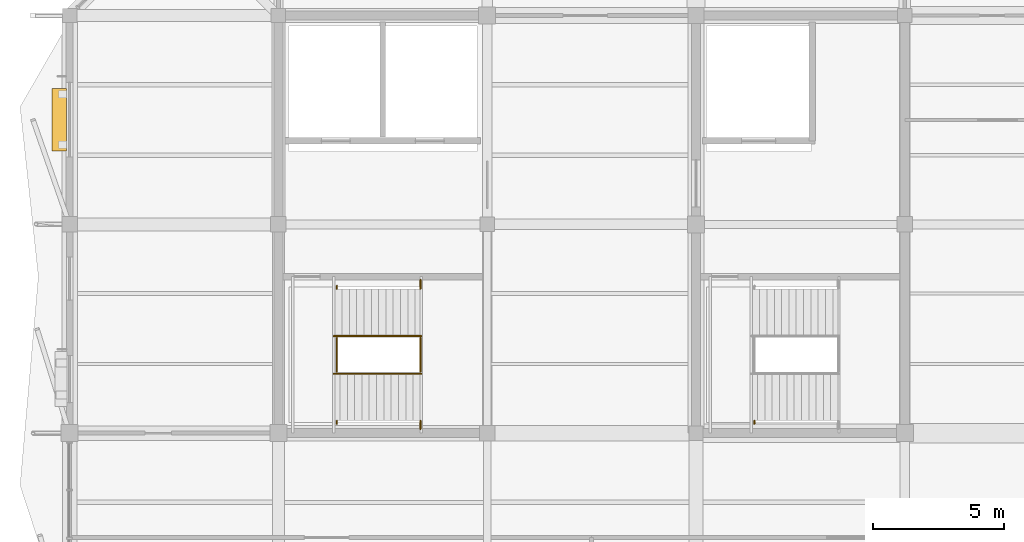
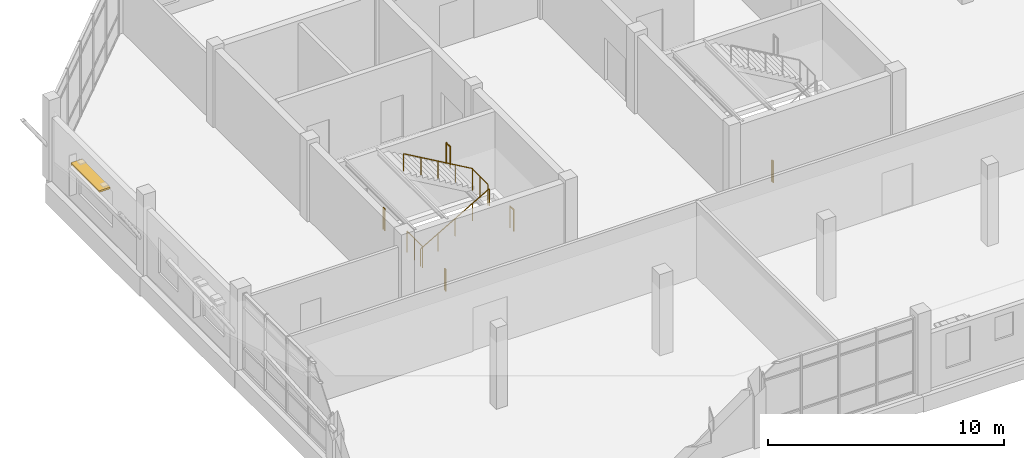
# One storey, part 70 of 72: 9 railings, 1 shading device, 1 element without a shape of its own.
"""IFC4 building model written with IfcOpenShell, lengths in metres."""

from ifc_helpers import new_model, si_unit, direction, frame, origin, origin_2d, place, context, subcontext, project, spatial, rectangle, circle, extrude, material, layer, layer_set, type_object, element, aggregate, save


model = new_model("IFC4")

# Units and contexts
model_context = context("Model", 3, precision=1e-05, world=origin(), true_north=direction((0.0, 1.0)))
body_context = subcontext(model_context, "Body", "Model", "MODEL_VIEW")
ifc_project = project(units=[si_unit("LENGTHUNIT", "METRE"), si_unit("AREAUNIT", "SQUARE_METRE"), si_unit("VOLUMEUNIT", "CUBIC_METRE"), si_unit("PLANEANGLEUNIT", "RADIAN"), si_unit("MASSUNIT", "GRAM", prefix="KILO")], contexts=[model_context])

# Site, building, storey
site_placement = place(None, origin())
site = spatial("IfcSite", under=ifc_project, at=site_placement, CompositionType="ELEMENT")
building_placement = place(site_placement, origin())
building = spatial("IfcBuilding", under=site, at=building_placement, Name="Tenunan Teduh Sports Hall", CompositionType="ELEMENT")
storey_placement = place(building_placement, frame((0.0, 0.0, 15.0)))
storey = spatial("IfcBuildingStorey", under=building, at=storey_placement, Name="L03", CompositionType="ELEMENT", Elevation=15.0)

# Railings
ifc_material_1 = material(Name="Galvanised and powder-coated steel", Category="steel")
ifc_layer_1 = layer(ifc_material_1, 0.070068359375)
ifc_layer_set_1 = layer_set([ifc_layer_1], Name="Galvanised and powder-coated steel")
railing_type_1 = type_object("IfcRailingType", Name="RLG-EXT-GRD", PredefinedType="GUARDRAIL", material=ifc_layer_set_1)
railing_1_placement = place(storey_placement, frame((16.239990234375, 96.35009765625, 0.0)))
element("IfcRailing", 1, at=railing_1_placement, inside=storey, type_object=railing_type_1, Name="RLG-STW-WLND-W1-L02", PredefinedType="GUARDRAIL", context=body_context, shape_type="SweptSolid", body=[
    extrude(circle(Radius=0.02392578125, at=origin_2d()), frame((0.0, 0.0, 1.09619140625), z_axis=(0.0, 1.0, 0.0), x_axis=(-1.0, 0.0, 0.0)), (0.0, 0.0, 1.0), 1.2998046875),
    extrude(circle(Radius=0.02099609375, at=origin_2d()), origin(), (0.0, 0.0, 1.0), 1.072021484375),
    extrude(circle(Radius=0.02099609375, at=origin_2d()), frame((0.0, 0.64990234375, 0.0)), (0.0, 0.0, 1.0), 1.072021484375),
    extrude(circle(Radius=0.02099609375, at=origin_2d()), frame((0.0, 1.2998046875, 0.0)), (0.0, 0.0, 1.0), 1.072021484375),
])
for number, where, name in (
    (2, (16.239990234375, 94.360107421875, 0.0), "RLG-STW-WLNDS-W1-L02"),
    (3, (16.239990234375, 99.530029296875, 0.0), "RLG-STW-WLNDN-W1-L02"),
):
    element("IfcRailing", number, at=place(storey_placement, frame(where)), inside=storey, type_object=railing_type_1, Name=name, PredefinedType="GUARDRAIL", context=body_context, shape_type="SweptSolid", body=[
        extrude(circle(Radius=0.02392578125, at=origin_2d()), frame((0.0, 0.0, 1.09619140625), z_axis=(0.0, 1.0, 0.0), x_axis=(-1.0, 0.0, 0.0)), (0.0, 0.0, 1.0), 0.10986328125),
        extrude(circle(Radius=0.02099609375, at=origin_2d()), origin(), (0.0, 0.0, 1.0), 1.072021484375),
        extrude(circle(Radius=0.02099609375, at=origin_2d()), frame((0.0, 0.10986328125, 0.0)), (0.0, 0.0, 1.0), 1.072021484375),
    ])
railing_2_placement = place(storey_placement, frame((19.43994140625, 96.35009765625, 2.10009765625)))
element("IfcRailing", 4, at=railing_2_placement, inside=storey, type_object=railing_type_1, Name="RLG-STW-MID-W1-L03", PredefinedType="GUARDRAIL", context=body_context, shape_type="SweptSolid", body=[
    extrude(circle(Radius=0.02392578125, at=origin_2d()), frame((0.0, 0.0, 1.09619140625), z_axis=(0.0, 1.0, 0.0), x_axis=(-1.0, 0.0, 0.0)), (0.0, 0.0, 1.0), 1.2998046875),
    extrude(circle(Radius=0.02099609375, at=origin_2d()), origin(), (0.0, 0.0, 1.0), 1.072021484375),
    extrude(circle(Radius=0.02099609375, at=origin_2d()), frame((0.0, 0.64990234375, 0.0)), (0.0, 0.0, 1.0), 1.072021484375),
    extrude(circle(Radius=0.02099609375, at=origin_2d()), frame((0.0, 1.2998046875, 0.0)), (0.0, 0.0, 1.0), 1.072021484375),
])
railing_3_placement = place(storey_placement, frame((19.43994140625, 94.159912109375, 2.10009765625)))
element("IfcRailing", 5, at=railing_3_placement, inside=storey, type_object=railing_type_1, Name="RLG-STW-MIDS-W1-L03", PredefinedType="GUARDRAIL", context=body_context, shape_type="SweptSolid", body=[
    extrude(circle(Radius=0.02392578125, at=origin_2d()), frame((0.0, 0.0, 1.09619140625), z_axis=(0.0, 1.0, 0.0), x_axis=(-1.0, 0.0, 0.0)), (0.0, 0.0, 1.0), 0.31005859375),
    extrude(circle(Radius=0.02099609375, at=origin_2d()), origin(), (0.0, 0.0, 1.0), 1.072021484375),
    extrude(circle(Radius=0.02099609375, at=origin_2d()), frame((0.0, 0.31005859375, 0.0)), (0.0, 0.0, 1.0), 1.072021484375),
])
railing_4_placement = place(storey_placement, frame((19.43994140625, 99.530029296875, 2.10009765625)))
element("IfcRailing", 6, at=railing_4_placement, inside=storey, type_object=railing_type_1, Name="RLG-STW-MIDN-W1-L03", PredefinedType="GUARDRAIL", context=body_context, shape_type="SweptSolid", body=[
    extrude(circle(Radius=0.02392578125, at=origin_2d()), frame((0.0, 0.0, 1.09619140625), z_axis=(0.0, 1.0, 0.0), x_axis=(-1.0, 0.0, 0.0)), (0.0, 0.0, 1.0), 0.340087890625),
    extrude(circle(Radius=0.02099609375, at=origin_2d()), origin(), (0.0, 0.0, 1.0), 1.072021484375),
    extrude(circle(Radius=0.02099609375, at=origin_2d()), frame((0.0, 0.340087890625, 0.0)), (0.0, 0.0, 1.0), 1.072021484375),
])
railing_5_placement = place(storey_placement, frame((32.239990234375, 94.360107421875, 0.0)))
element("IfcRailing", 7, at=railing_5_placement, inside=storey, type_object=railing_type_1, Name="RLG-STW-WLNDS-W2-L02", PredefinedType="GUARDRAIL", context=body_context, shape_type="SweptSolid", body=[
    extrude(circle(Radius=0.02392578125, at=origin_2d()), frame((0.0, 0.0, 1.09619140625), z_axis=(0.0, 1.0, 0.0), x_axis=(-1.0, 0.0, 0.0)), (0.0, 0.0, 1.0), 0.10986328125),
    extrude(circle(Radius=0.02099609375, at=origin_2d()), origin(), (0.0, 0.0, 1.0), 1.072021484375),
    extrude(circle(Radius=0.02099609375, at=origin_2d()), frame((0.0, 0.10986328125, 0.0)), (0.0, 0.0, 1.0), 1.072021484375),
])

# Stair, railings
ifc_material_2 = material(Name="Precast concrete C40/50", Category="concrete")
stair_type = type_object("IfcStairType", Name="STR-CORE-54", PredefinedType="HALF_TURN_STAIR", material=ifc_material_2)
stair_placement = place(storey_placement, origin())
stair = element("IfcStair", 8, at=stair_placement, inside=storey, type_object=stair_type, Name="STR-W1-L03", PredefinedType="HALF_TURN_STAIR")
ifc_material_3 = material(Name="Brushed stainless steel", Category="steel")
ifc_layer_2 = layer(ifc_material_3, 0.050048828125)
ifc_layer_set_2 = layer_set([ifc_layer_2], Name="Brushed stainless steel")
railing_type_2 = type_object("IfcRailingType", Name="RLG-STAIR-HR", PredefinedType="HANDRAIL", material=ifc_layer_set_2)
railing_6_placement = place(storey_placement, frame((16.1201171875, 96.280029296875, 0.16162109375)))
railing_6 = element("IfcRailing", 9, at=railing_6_placement, type_object=railing_type_2, Name="STR-W1-L03-HR1", PredefinedType="HANDRAIL", context=body_context, shape_type="SweptSolid", body=[
    extrude(circle(Radius=0.02392578125, at=origin_2d()), frame((0.0, 0.0, 0.89599609375), z_axis=(0.866175107563, 0.0, 0.499740615757), x_axis=(0.0, 1.0, 0.0)), (0.0, 0.0, 1.0), 3.87890625),
    extrude(circle(Radius=0.02099609375, at=origin_2d()), origin(), (0.0, 0.0, 1.0), 0.871826171875),
    extrude(circle(Radius=0.02099609375, at=origin_2d()), frame((0.83984375, 0.0, 0.484619140625)), (0.0, 0.0, 1.0), 0.871826171875),
    extrude(circle(Radius=0.02099609375, at=origin_2d()), frame((1.679931640625, 0.0, 0.96923828125)), (0.0, 0.0, 1.0), 0.871826171875),
    extrude(circle(Radius=0.02099609375, at=origin_2d()), frame((2.52001953125, 0.0, 1.453857421875)), (0.0, 0.0, 1.0), 0.871826171875),
    extrude(circle(Radius=0.02099609375, at=origin_2d()), frame((3.35986328125, 0.0, 1.9384765625)), (0.0, 0.0, 1.0), 0.871826171875),
])
railing_7_placement = place(storey_placement, frame((19.47998046875, 97.719970703125, 2.261474609375)))
railing_7 = element("IfcRailing", 10, at=railing_7_placement, type_object=railing_type_2, Name="STR-W1-L03-HR2", PredefinedType="HANDRAIL", context=body_context, shape_type="SweptSolid", body=[
    extrude(circle(Radius=0.02392578125, at=origin_2d()), frame((0.0, 0.0, 0.89599609375), z_axis=(-0.866175107563, 0.0, 0.499740615757), x_axis=(0.0, -1.0, 0.0)), (0.0, 0.0, 1.0), 3.87890625),
    extrude(circle(Radius=0.02099609375, at=origin_2d()), origin(), (0.0, 0.0, 1.0), 0.871826171875),
    extrude(circle(Radius=0.02099609375, at=origin_2d()), frame((-0.83984375, 0.0, 0.484619140625)), (0.0, 0.0, 1.0), 0.871826171875),
    extrude(circle(Radius=0.02099609375, at=origin_2d()), frame((-1.679931640625, 0.0, 0.96923828125)), (0.0, 0.0, 1.0), 0.871826171875),
    extrude(circle(Radius=0.02099609375, at=origin_2d()), frame((-2.52001953125, 0.0, 1.453857421875)), (0.0, 0.0, 1.0), 0.871826171875),
    extrude(circle(Radius=0.02099609375, at=origin_2d()), frame((-3.35986328125, 0.0, 1.9384765625)), (0.0, 0.0, 1.0), 0.871826171875),
])
aggregate(stair, [railing_6, railing_7])

# Shading device
ifc_material_4 = material(Name="Perforated anodised aluminium", Category="aluminium")
shading_device_type = type_object("IfcShadingDeviceType", Name="SHD-LOUVRE-2", PredefinedType="SHUTTER", material=ifc_material_4)
shading_device_placement = place(storey_placement, frame((5.610107421875, 106.014892578125, 2.56494140625), z_axis=(0.0, 0.0, 1.0), x_axis=(0.0, 1.0, 0.0)))
element("IfcShadingDevice", 11, at=shading_device_placement, inside=storey, type_object=shading_device_type, Name="SHD-L03-064", PredefinedType="SHUTTER", context=body_context, shape_type="SweptSolid", body=[
    extrude(rectangle(XDim=2.39990234375, YDim=0.550048828125, at=origin_2d()), origin(), (0.0, 0.0, 1.0), 0.090087890625),
])

save(model, "model.ifc")
